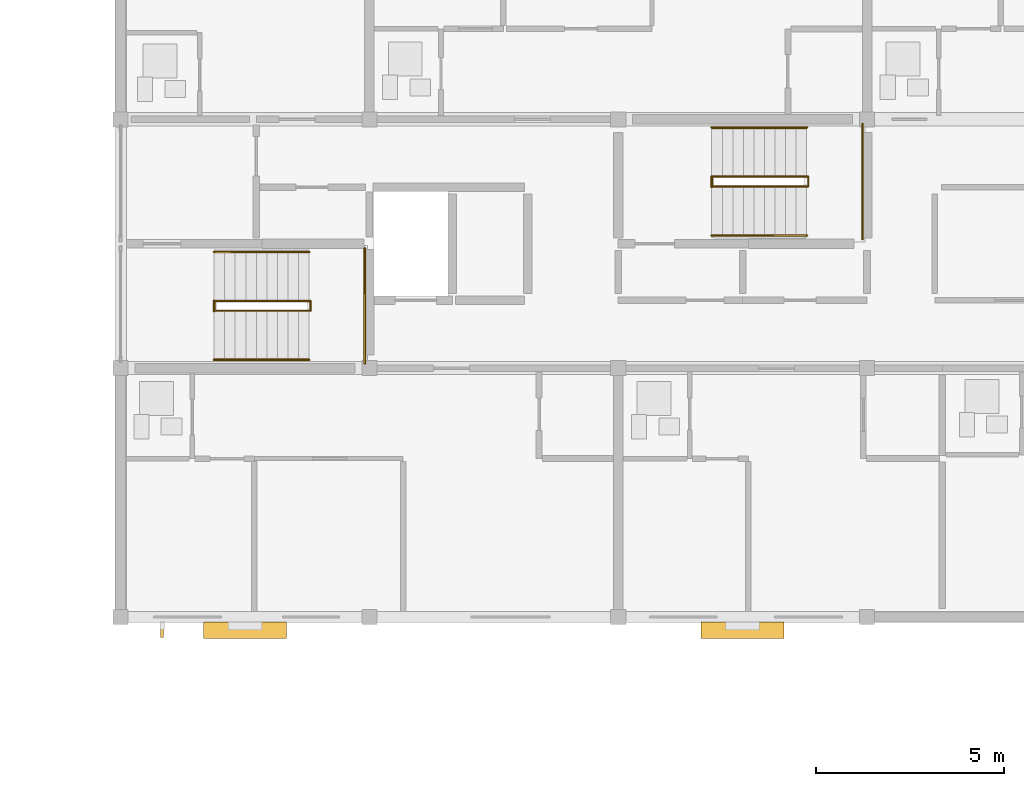
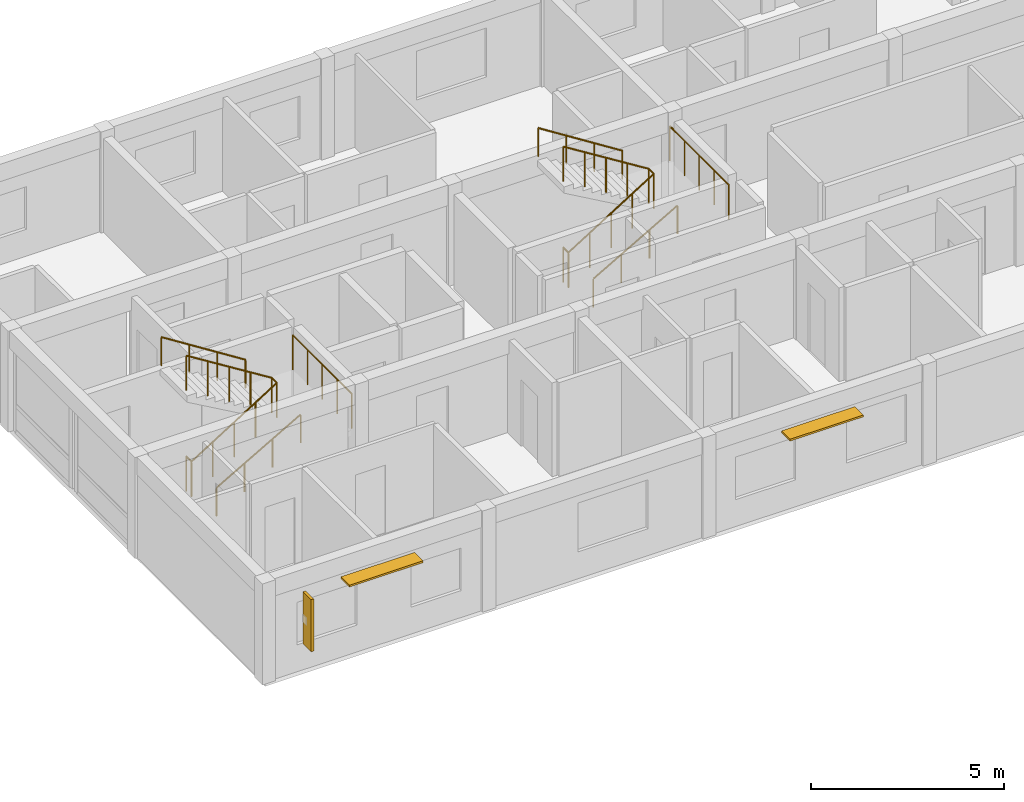
# One storey, part 35 of 37: 10 railings, 3 shading devices.
"""IFC4 building model written with IfcOpenShell, lengths in metres."""

from ifc_helpers import new_model, si_unit, direction, frame, origin, origin_2d, place, context, subcontext, project, spatial, rectangle, circle, extrude, material, layer, layer_set, type_object, element, save


model = new_model("IFC4")

# Units and contexts
model_context = context("Model", 3, precision=1e-05, world=origin(), true_north=direction((0.0, 1.0)))
body_context = subcontext(model_context, "Body", "Model", "MODEL_VIEW")
ifc_project = project(units=[si_unit("LENGTHUNIT", "METRE"), si_unit("AREAUNIT", "SQUARE_METRE"), si_unit("VOLUMEUNIT", "CUBIC_METRE"), si_unit("PLANEANGLEUNIT", "RADIAN"), si_unit("MASSUNIT", "GRAM", prefix="KILO")], contexts=[model_context])

# Site, building, storey
site_placement = place(None, origin())
site = spatial("IfcSite", under=ifc_project, at=site_placement, CompositionType="ELEMENT")
building_placement = place(site_placement, origin())
building = spatial("IfcBuilding", under=site, at=building_placement, Name="Kernevlak Ridge Housing Community", CompositionType="ELEMENT")
storey_placement = place(building_placement, frame((0.0, 0.0, 37.199951171875)))
storey = spatial("IfcBuildingStorey", under=building, at=storey_placement, Name="L11", CompositionType="ELEMENT", Elevation=37.199951171875)

# Railings
ifc_material_1 = material(Name="Steel S355", Category="steel")
railing_type_1 = type_object("IfcRailingType", Name="GR-02", PredefinedType="GUARDRAIL", material=ifc_material_1)
railing_1_placement = place(storey_placement, frame((121.8798828125, 90.7099609375, 0.0)))
element("IfcRailing", 1, at=railing_1_placement, inside=storey, type_object=railing_type_1, Name="Stair ST-B1 L11 well slot guard", PredefinedType="GUARDRAIL", context=body_context, shape_type="SweptSolid", body=[
    extrude(circle(Radius=0.02392578125, at=origin_2d()), frame((0.0, 0.0, 1.09619140625), z_axis=(0.0, 1.0, 0.0), x_axis=(-1.0, 0.0, 0.0)), (0.0, 0.0, 1.0), 0.280029296875),
    extrude(circle(Radius=0.02099609375, at=origin_2d()), origin(), (0.0, 0.0, 1.0), 1.072021484375),
    extrude(circle(Radius=0.02099609375, at=origin_2d()), frame((0.0, 0.280029296875, 0.0)), (0.0, 0.0, 1.0), 1.072021484375),
])
railing_2_placement = place(storey_placement, frame((121.8798828125, 90.719970703125, 0.0)))
element("IfcRailing", 2, at=railing_2_placement, inside=storey, type_object=railing_type_1, Name="Stair ST-B1 L11 inner well guardrail", PredefinedType="GUARDRAIL", context=body_context, shape_type="SweptSolid", body=[
    extrude(circle(Radius=0.02392578125, at=origin_2d()), frame((0.0, 0.0, 1.09619140625), z_axis=(0.847989217509, 0.0, 0.530013478119), x_axis=(0.0, 1.0, 0.0)), (0.0, 0.0, 1.0), 3.01904296875),
    extrude(circle(Radius=0.02392578125, at=origin_2d()), frame((2.56005859375, 0.0, 2.6962890625), z_axis=(0.0, 1.0, 0.0), x_axis=(-1.0, 0.0, 0.0)), (0.0, 0.0, 1.0), 0.260009765625),
    extrude(circle(Radius=0.02392578125, at=origin_2d()), frame((2.56005859375, 0.260009765625, 2.6962890625), z_axis=(-0.848025563165, 0.0, 0.529955322851), x_axis=(0.0, -1.0, 0.0)), (0.0, 0.0, 1.0), 3.018798828125),
    extrude(circle(Radius=0.02099609375, at=origin_2d()), origin(), (0.0, 0.0, 1.0), 1.072021484375),
    extrude(circle(Radius=0.02099609375, at=origin_2d()), frame((0.64013671875, 0.0, 0.39990234375)), (0.0, 0.0, 1.0), 1.072021484375),
    extrude(circle(Radius=0.02099609375, at=origin_2d()), frame((1.280029296875, 0.0, 0.800048828125)), (0.0, 0.0, 1.0), 1.072021484375),
    extrude(circle(Radius=0.02099609375, at=origin_2d()), frame((1.919921875, 0.0, 1.2001953125)), (0.0, 0.0, 1.0), 1.072021484375),
    extrude(circle(Radius=0.02099609375, at=origin_2d()), frame((2.56005859375, 0.0, 1.60009765625)), (0.0, 0.0, 1.0), 1.072021484375),
    extrude(circle(Radius=0.02099609375, at=origin_2d()), frame((2.56005859375, 0.260009765625, 1.60009765625)), (0.0, 0.0, 1.0), 1.072021484375),
    extrude(circle(Radius=0.02099609375, at=origin_2d()), frame((1.919921875, 0.260009765625, 2.0)), (0.0, 0.0, 1.0), 1.072021484375),
    extrude(circle(Radius=0.02099609375, at=origin_2d()), frame((1.280029296875, 0.260009765625, 2.39990234375)), (0.0, 0.0, 1.0), 1.072021484375),
    extrude(circle(Radius=0.02099609375, at=origin_2d()), frame((0.64013671875, 0.260009765625, 2.800048828125)), (0.0, 0.0, 1.0), 1.072021484375),
    extrude(circle(Radius=0.02099609375, at=origin_2d()), frame((0.0, 0.260009765625, 3.199951171875)), (0.0, 0.0, 1.0), 1.072021484375),
])
railing_3_placement = place(storey_placement, frame((125.8798828125, 89.320068359375, 1.60009765625)))
element("IfcRailing", 3, at=railing_3_placement, inside=storey, type_object=railing_type_1, Name="Stair ST-B1 L11 half-landing guard", PredefinedType="GUARDRAIL", context=body_context, shape_type="SweptSolid", body=[
    extrude(circle(Radius=0.02392578125, at=origin_2d()), frame((0.0, 0.0, 1.09619140625), z_axis=(0.0, 1.0, 0.0), x_axis=(-1.0, 0.0, 0.0)), (0.0, 0.0, 1.0), 3.059814453125),
    extrude(circle(Radius=0.02099609375, at=origin_2d()), origin(), (0.0, 0.0, 1.0), 1.072021484375),
    extrude(circle(Radius=0.02099609375, at=origin_2d()), frame((0.0, 0.764892578125, 0.0)), (0.0, 0.0, 1.0), 1.072021484375),
    extrude(circle(Radius=0.02099609375, at=origin_2d()), frame((0.0, 1.52978515625, 0.0)), (0.0, 0.0, 1.0), 1.072021484375),
    extrude(circle(Radius=0.02099609375, at=origin_2d()), frame((0.0, 2.294921875, 0.0)), (0.0, 0.0, 1.0), 1.072021484375),
    extrude(circle(Radius=0.02099609375, at=origin_2d()), frame((0.0, 3.059814453125, 0.0)), (0.0, 0.0, 1.0), 1.072021484375),
])
railing_4_placement = place(storey_placement, frame((135.080078125, 94.010009765625, 0.0)))
element("IfcRailing", 4, at=railing_4_placement, inside=storey, type_object=railing_type_1, Name="Stair ST-B2 L11 well slot guard", PredefinedType="GUARDRAIL", context=body_context, shape_type="SweptSolid", body=[
    extrude(circle(Radius=0.02392578125, at=origin_2d()), frame((0.0, 0.0, 1.09619140625), z_axis=(0.0, 1.0, 0.0), x_axis=(-1.0, 0.0, 0.0)), (0.0, 0.0, 1.0), 0.280029296875),
    extrude(circle(Radius=0.02099609375, at=origin_2d()), origin(), (0.0, 0.0, 1.0), 1.072021484375),
    extrude(circle(Radius=0.02099609375, at=origin_2d()), frame((0.0, 0.280029296875, 0.0)), (0.0, 0.0, 1.0), 1.072021484375),
])
railing_5_placement = place(storey_placement, frame((135.080078125, 94.02001953125, 0.0)))
element("IfcRailing", 5, at=railing_5_placement, inside=storey, type_object=railing_type_1, Name="Stair ST-B2 L11 inner well guardrail", PredefinedType="GUARDRAIL", context=body_context, shape_type="SweptSolid", body=[
    extrude(circle(Radius=0.02392578125, at=origin_2d()), frame((0.0, 0.0, 1.09619140625), z_axis=(0.847966497998, 0.0, 0.530049826217), x_axis=(0.0, 1.0, 0.0)), (0.0, 0.0, 1.0), 3.018798828125),
    extrude(circle(Radius=0.02392578125, at=origin_2d()), frame((2.559814453125, 0.0, 2.6962890625), z_axis=(0.0, 1.0, 0.0), x_axis=(-1.0, 0.0, 0.0)), (0.0, 0.0, 1.0), 0.260009765625),
    extrude(circle(Radius=0.02392578125, at=origin_2d()), frame((2.559814453125, 0.260009765625, 2.6962890625), z_axis=(-0.848002847666, 0.0, 0.529991670077), x_axis=(0.0, -1.0, 0.0)), (0.0, 0.0, 1.0), 3.0185546875),
    extrude(circle(Radius=0.02099609375, at=origin_2d()), origin(), (0.0, 0.0, 1.0), 1.072021484375),
    extrude(circle(Radius=0.02099609375, at=origin_2d()), frame((0.639892578125, 0.0, 0.39990234375)), (0.0, 0.0, 1.0), 1.072021484375),
    extrude(circle(Radius=0.02099609375, at=origin_2d()), frame((1.27978515625, 0.0, 0.800048828125)), (0.0, 0.0, 1.0), 1.072021484375),
    extrude(circle(Radius=0.02099609375, at=origin_2d()), frame((1.919921875, 0.0, 1.2001953125)), (0.0, 0.0, 1.0), 1.072021484375),
    extrude(circle(Radius=0.02099609375, at=origin_2d()), frame((2.559814453125, 0.0, 1.60009765625)), (0.0, 0.0, 1.0), 1.072021484375),
    extrude(circle(Radius=0.02099609375, at=origin_2d()), frame((2.559814453125, 0.260009765625, 1.60009765625)), (0.0, 0.0, 1.0), 1.072021484375),
    extrude(circle(Radius=0.02099609375, at=origin_2d()), frame((1.919921875, 0.260009765625, 2.0)), (0.0, 0.0, 1.0), 1.072021484375),
    extrude(circle(Radius=0.02099609375, at=origin_2d()), frame((1.27978515625, 0.260009765625, 2.39990234375)), (0.0, 0.0, 1.0), 1.072021484375),
    extrude(circle(Radius=0.02099609375, at=origin_2d()), frame((0.639892578125, 0.260009765625, 2.800048828125)), (0.0, 0.0, 1.0), 1.072021484375),
    extrude(circle(Radius=0.02099609375, at=origin_2d()), frame((0.0, 0.260009765625, 3.199951171875)), (0.0, 0.0, 1.0), 1.072021484375),
])
railing_6_placement = place(storey_placement, frame((139.080078125, 92.6201171875, 1.60009765625)))
element("IfcRailing", 6, at=railing_6_placement, inside=storey, type_object=railing_type_1, Name="Stair ST-B2 L11 half-landing guard", PredefinedType="GUARDRAIL", context=body_context, shape_type="SweptSolid", body=[
    extrude(circle(Radius=0.02392578125, at=origin_2d()), frame((0.0, 0.0, 1.09619140625), z_axis=(0.0, 1.0, 0.0), x_axis=(-1.0, 0.0, 0.0)), (0.0, 0.0, 1.0), 3.059814453125),
    extrude(circle(Radius=0.02099609375, at=origin_2d()), origin(), (0.0, 0.0, 1.0), 1.072021484375),
    extrude(circle(Radius=0.02099609375, at=origin_2d()), frame((0.0, 0.764892578125, 0.0)), (0.0, 0.0, 1.0), 1.072021484375),
    extrude(circle(Radius=0.02099609375, at=origin_2d()), frame((0.0, 1.52978515625, 0.0)), (0.0, 0.0, 1.0), 1.072021484375),
    extrude(circle(Radius=0.02099609375, at=origin_2d()), frame((0.0, 2.294921875, 0.0)), (0.0, 0.0, 1.0), 1.072021484375),
    extrude(circle(Radius=0.02099609375, at=origin_2d()), frame((0.0, 3.059814453125, 0.0)), (0.0, 0.0, 1.0), 1.072021484375),
])
ifc_material_2 = material(Name="Stainless steel EN 1.4401", Category="steel")
railing_type_2 = type_object("IfcRailingType", Name="HR-01", PredefinedType="HANDRAIL", material=ifc_material_2)
railing_7_placement = place(storey_placement, frame((121.8798828125, 89.419921875, 0.16015625)))
element("IfcRailing", 7, at=railing_7_placement, inside=storey, type_object=railing_type_2, Name="Stair ST-B1 L11 flight 1 handrail", PredefinedType="HANDRAIL", context=body_context, shape_type="SweptSolid", body=[
    extrude(circle(Radius=0.02392578125, at=origin_2d()), frame((0.0, 0.0, 0.89599609375), z_axis=(0.868253494771, 0.0, 0.496120820787), x_axis=(0.0, 1.0, 0.0)), (0.0, 0.0, 1.0), 2.90234375),
    extrude(circle(Radius=0.02099609375, at=origin_2d()), origin(), (0.0, 0.0, 1.0), 0.871826171875),
    extrude(circle(Radius=0.02099609375, at=origin_2d()), frame((0.840087890625, 0.0, 0.47998046875)), (0.0, 0.0, 1.0), 0.871826171875),
    extrude(circle(Radius=0.02099609375, at=origin_2d()), frame((1.679931640625, 0.0, 0.9599609375)), (0.0, 0.0, 1.0), 0.871826171875),
    extrude(circle(Radius=0.02099609375, at=origin_2d()), frame((2.52001953125, 0.0, 1.43994140625)), (0.0, 0.0, 1.0), 0.871826171875),
])
railing_8_placement = place(storey_placement, frame((124.39990234375, 92.280029296875, 1.60009765625)))
element("IfcRailing", 8, at=railing_8_placement, inside=storey, type_object=railing_type_2, Name="Stair ST-B1 L11 flight 2 handrail", PredefinedType="HANDRAIL", context=body_context, shape_type="SweptSolid", body=[
    extrude(circle(Radius=0.02392578125, at=origin_2d()), frame((0.0, 0.0, 0.89599609375), z_axis=(-0.84423690053, 0.0, 0.535970200462), x_axis=(0.0, -1.0, 0.0)), (0.0, 0.0, 1.0), 2.98486328125),
    extrude(circle(Radius=0.02099609375, at=origin_2d()), origin(), (0.0, 0.0, 1.0), 0.871826171875),
    extrude(circle(Radius=0.02099609375, at=origin_2d()), frame((-0.840087890625, 0.0, 0.533203125)), (0.0, 0.0, 1.0), 0.871826171875),
    extrude(circle(Radius=0.02099609375, at=origin_2d()), frame((-1.679931640625, 0.0, 1.066650390625)), (0.0, 0.0, 1.0), 0.871826171875),
    extrude(circle(Radius=0.02099609375, at=origin_2d()), frame((-2.52001953125, 0.0, 1.599853515625)), (0.0, 0.0, 1.0), 0.871826171875),
])
railing_9_placement = place(storey_placement, frame((135.080078125, 92.719970703125, 0.16015625)))
element("IfcRailing", 9, at=railing_9_placement, inside=storey, type_object=railing_type_2, Name="Stair ST-B2 L11 flight 1 handrail", PredefinedType="HANDRAIL", context=body_context, shape_type="SweptSolid", body=[
    extrude(circle(Radius=0.02392578125, at=origin_2d()), frame((0.0, 0.0, 0.89599609375), z_axis=(0.868253494771, 0.0, 0.496120820787), x_axis=(0.0, 1.0, 0.0)), (0.0, 0.0, 1.0), 2.90234375),
    extrude(circle(Radius=0.02099609375, at=origin_2d()), origin(), (0.0, 0.0, 1.0), 0.871826171875),
    extrude(circle(Radius=0.02099609375, at=origin_2d()), frame((0.840087890625, 0.0, 0.47998046875)), (0.0, 0.0, 1.0), 0.871826171875),
    extrude(circle(Radius=0.02099609375, at=origin_2d()), frame((1.679931640625, 0.0, 0.9599609375)), (0.0, 0.0, 1.0), 0.871826171875),
    extrude(circle(Radius=0.02099609375, at=origin_2d()), frame((2.52001953125, 0.0, 1.43994140625)), (0.0, 0.0, 1.0), 0.871826171875),
])
railing_10_placement = place(storey_placement, frame((137.60009765625, 95.580078125, 1.60009765625)))
element("IfcRailing", 10, at=railing_10_placement, inside=storey, type_object=railing_type_2, Name="Stair ST-B2 L11 flight 2 handrail", PredefinedType="HANDRAIL", context=body_context, shape_type="SweptSolid", body=[
    extrude(circle(Radius=0.02392578125, at=origin_2d()), frame((0.0, 0.0, 0.89599609375), z_axis=(-0.84423690053, 0.0, 0.535970200462), x_axis=(0.0, -1.0, 0.0)), (0.0, 0.0, 1.0), 2.98486328125),
    extrude(circle(Radius=0.02099609375, at=origin_2d()), origin(), (0.0, 0.0, 1.0), 0.871826171875),
    extrude(circle(Radius=0.02099609375, at=origin_2d()), frame((-0.840087890625, 0.0, 0.533203125)), (0.0, 0.0, 1.0), 0.871826171875),
    extrude(circle(Radius=0.02099609375, at=origin_2d()), frame((-1.679931640625, 0.0, 1.066650390625)), (0.0, 0.0, 1.0), 0.871826171875),
    extrude(circle(Radius=0.02099609375, at=origin_2d()), frame((-2.52001953125, 0.0, 1.599853515625)), (0.0, 0.0, 1.0), 0.871826171875),
])

# Shading devices
ifc_material_3 = material(Name="Aluminium EN AW-6060 anodised", Category="aluminium")
ifc_layer = layer(ifc_material_3, 0.06005859375, Name="Aluminium EN AW-6060 anodised")
ifc_layer_set = layer_set([ifc_layer], Name="Aluminium EN AW-6060 anodised")
shading_device_type_1 = type_object("IfcShadingDeviceType", Name="LV-01", PredefinedType="JALOUSIE", material=ifc_layer_set)
for number, where, z_axis, x_axis, name in (
    (11, (122.699951171875, 82.25, 2.489990234375), (0.0, 0.0, 1.0), (1.0, 0.0, 0.0), "Horizontal solar louvre 25"),
    (12, (135.89990234375, 82.25, 2.489990234375), (0.0, 0.0, 1.0), (1.0, 0.0, 0.0), "Horizontal solar louvre 26"),
):
    element("IfcShadingDevice", number, at=place(storey_placement, frame(where, z_axis=z_axis, x_axis=x_axis)), inside=storey, type_object=shading_device_type_1, Name=name, PredefinedType="JALOUSIE", context=body_context, shape_type="SweptSolid", body=[
        extrude(rectangle(XDim=2.199951171875, YDim=0.43994140625, at=origin_2d()), origin(), (0.0, 0.0, 1.0), 0.06005859375),
    ])
ifc_material_4 = material(Name="Aluminium EN AW-6060 enamelled", Category="aluminium")
shading_device_type_2 = type_object("IfcShadingDeviceType", Name="LV-02", PredefinedType="USERDEFINED", material=ifc_material_4)
shading_device_placement = place(storey_placement, frame((120.5, 82.260009765625, 0.8251953125), z_axis=(0.0, 0.0, 1.0), x_axis=(1.0, 0.0, 0.0)))
element("IfcShadingDevice", 13, at=shading_device_placement, inside=storey, type_object=shading_device_type_2, Name="De Stijl yellow vertical solar fin 25", ObjectType="LOUVRE", PredefinedType="USERDEFINED", context=body_context, shape_type="SweptSolid", body=[
    extrude(rectangle(XDim=0.080078125, YDim=0.419921875, at=origin_2d()), origin(), (0.0, 0.0, 1.0), 1.64990234375),
])

save(model, "model.ifc")
